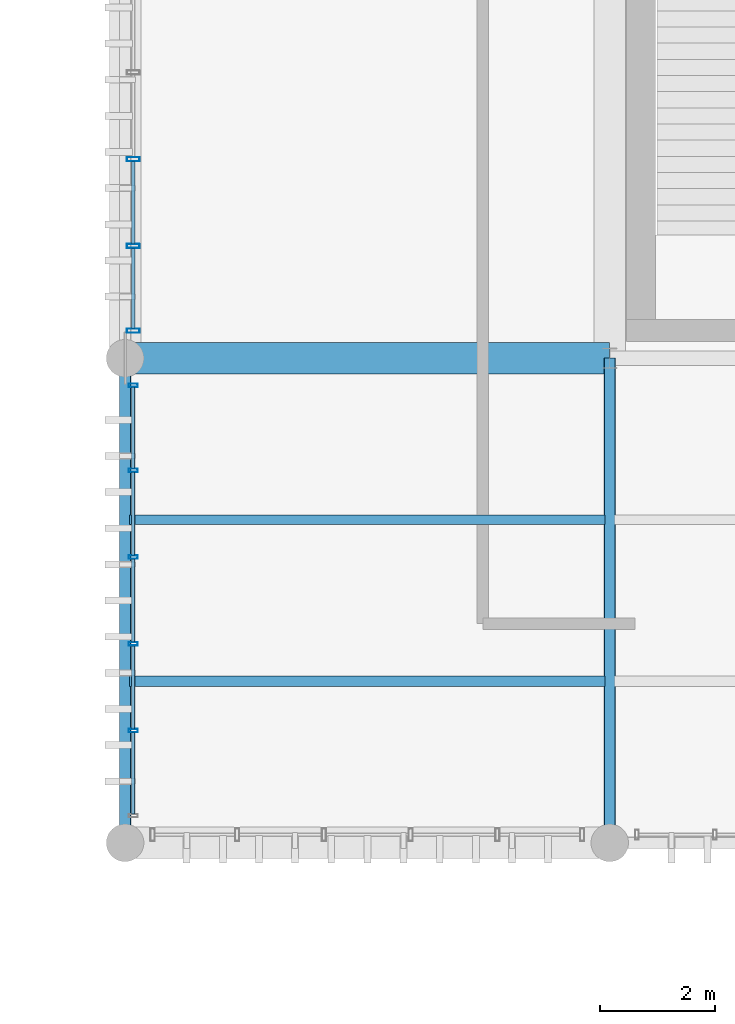
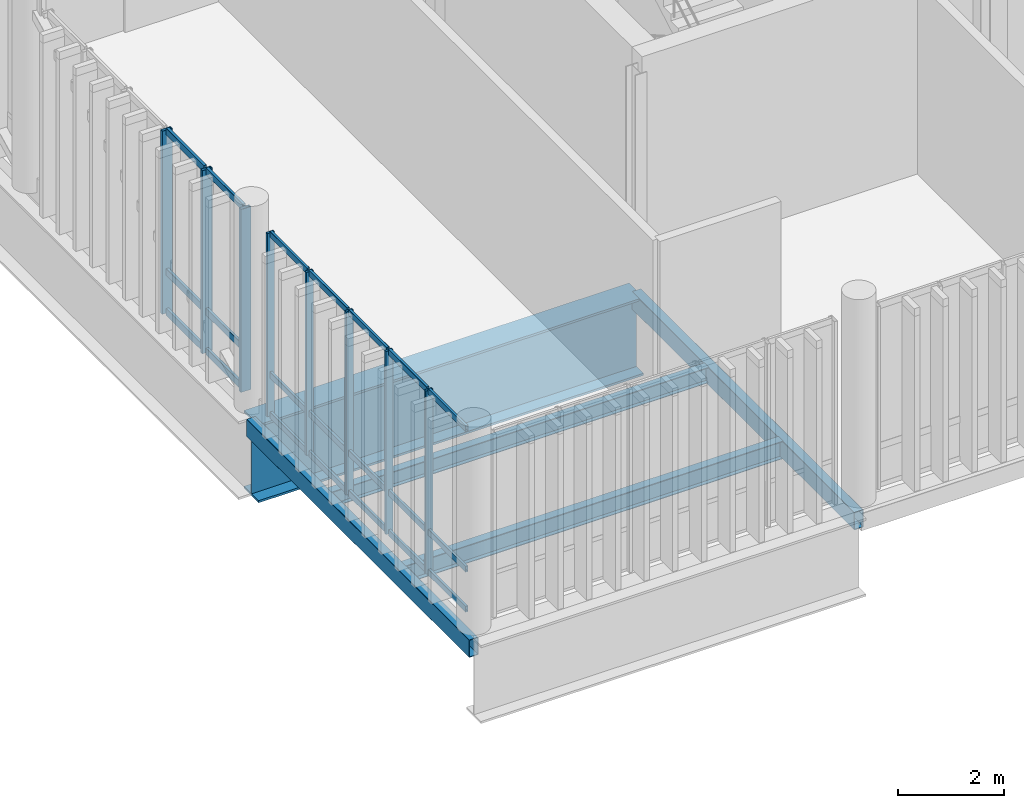
# One storey, part 42 of 81: 29 members, 5 beams, 2 elements without a shape of their own.
"""IFC4 building model written with IfcOpenShell, lengths in metres."""

import ifcopenshell
import ifcopenshell.guid

model = None  # the IFC model being written
_history = None  # IfcOwnerHistory: only IFC2X3 demands one
_inside = {}  # id of a spatial element -> (the spatial element, [elements in it])
_under = {}  # id of a project, library or spatial element -> (it, [spatial elements below it])
_declared = {}  # id of a project -> (the project, [libraries it declares])
_typed = {}  # id of a type object -> (the type object, [elements of that type])
_made_of = {}  # id of a material, layer set ... -> (it, [elements and type objects made of it])


def new_model(schema):
    """Start an empty IFC model of exactly this schema.

    Asked for "IFC4X3", IfcOpenShell would pick the latest addendum, in which some entities
    have other attributes; the version numbers below select the first issue.
    IFC2X3 requires an IfcOwnerHistory on every rooted entity: one is made here for all.
    """
    global model, _history
    if schema == "IFC4X3":
        model = ifcopenshell.file(schema_version=(4, 3, 0, 0))
    else:
        model = ifcopenshell.file(schema=schema)
    _inside.clear()
    _under.clear()
    _declared.clear()
    _typed.clear()
    _made_of.clear()
    _history = None
    if model.schema == "IFC2X3":
        org = make("IfcOrganization", Name="unknown")
        user = make(
            "IfcPersonAndOrganization",
            ThePerson=make("IfcPerson", FamilyName="unknown"),
            TheOrganization=org,
        )
        app = make(
            "IfcApplication",
            ApplicationDeveloper=org,
            Version="unknown",
            ApplicationFullName="unknown",
            ApplicationIdentifier="unknown",
        )
        _history = make(
            "IfcOwnerHistory",
            OwningUser=user,
            OwningApplication=app,
            ChangeAction="ADDED",
            CreationDate=0,
        )
    return model


def make(cls, **values):
    """One entity of the class cls with the attributes given. An attribute that is None is left unset."""
    return model.create_entity(
        cls, **{name: value for name, value in values.items() if value is not None}
    )


def rooted(cls, **values):
    """An entity with a GlobalId (a new one), such as an element, a storey or a relation."""
    return make(cls, GlobalId=ifcopenshell.guid.new(), OwnerHistory=_history, **values)


def si_unit(unit_type, name, prefix=None):
    """IfcSIUnit, for example si_unit("LENGTHUNIT", "METRE", prefix="MILLI")."""
    return make("IfcSIUnit", UnitType=unit_type, Prefix=prefix, Name=name)


def assignment(units):
    """IfcUnitAssignment: the units of a project."""
    return None if units is None else make("IfcUnitAssignment", Units=units)


def point(xyz):
    """IfcCartesianPoint."""
    return None if xyz is None else make("IfcCartesianPoint", Coordinates=xyz)


def direction(xyz):
    """IfcDirection."""
    return None if xyz is None else make("IfcDirection", DirectionRatios=xyz)


def frame(location, z_axis=None, x_axis=None):
    """IfcAxis2Placement3D, a coordinate frame: its origin and axes. An axis left out is left unset."""
    return make(
        "IfcAxis2Placement3D",
        Location=point(location),
        Axis=direction(z_axis),
        RefDirection=direction(x_axis),
    )


def frame_2d(location, x_axis=None):
    """IfcAxis2Placement2D, a coordinate frame in the plane: its origin and x axis."""
    return make(
        "IfcAxis2Placement2D", Location=point(location), RefDirection=direction(x_axis)
    )


def origin_with_axes():
    """The frame at (0, 0, 0) with the z axis (0, 0, 1) and the x axis (1, 0, 0) written out."""
    return frame((0.0, 0.0, 0.0), z_axis=(0.0, 0.0, 1.0), x_axis=(1.0, 0.0, 0.0))


def origin_2d_with_axis():
    """The frame at (0, 0) in the plane with the x axis (1, 0) written out."""
    return frame_2d((0.0, 0.0), x_axis=(1.0, 0.0))


def place(relative_to, where):
    """IfcLocalPlacement: puts the frame where relative to a parent placement (None: the world)."""
    return make(
        "IfcLocalPlacement", PlacementRelTo=relative_to, RelativePlacement=where
    )


def context(
    kind, dimensions, precision=None, world=None, true_north=None, identifier=None
):
    """IfcGeometricRepresentationContext, for example the 3D "Model" context."""
    return make(
        "IfcGeometricRepresentationContext",
        ContextIdentifier=identifier,
        ContextType=kind,
        CoordinateSpaceDimension=dimensions,
        Precision=precision,
        WorldCoordinateSystem=world,
        TrueNorth=true_north,
    )


def subcontext(parent, identifier, kind, view, scale=None):
    """IfcGeometricRepresentationSubContext, for example "Body" below "Model"."""
    return make(
        "IfcGeometricRepresentationSubContext",
        ContextIdentifier=identifier,
        ContextType=kind,
        ParentContext=parent,
        TargetScale=scale,
        TargetView=view,
    )


def project(units=None, contexts=None):
    """IfcProject with its units and contexts."""
    return rooted(
        "IfcProject",
        Name="project",
        RepresentationContexts=contexts,
        UnitsInContext=assignment(units),
    )


def spatial(cls, under=None, at=None, **own):
    """A site, building, storey or space (cls), placed at a placement, below another one or the project."""
    s = rooted(cls, ObjectPlacement=at, **own)
    if under is not None:
        _under.setdefault(under.id(), (under, []))[1].append(s)
    return s


def profile(cls, at=None, kind="AREA", **sizes):
    """A parametric profile (cls). Its sizes go by their IFC names, for example OverallWidth=200.0."""
    return make(cls, ProfileType=kind, Position=at, **sizes)


def hollow_rectangle(**sizes):
    """IfcRectangleHollowProfileDef."""
    return profile("IfcRectangleHollowProfileDef", **sizes)


def i_section(**sizes):
    """IfcIShapeProfileDef."""
    return profile("IfcIShapeProfileDef", **sizes)


def extrude(swept, where, along, depth):
    """IfcExtrudedAreaSolid: the profile swept, set in the frame where, extruded along a direction by depth."""
    return make(
        "IfcExtrudedAreaSolid",
        SweptArea=swept,
        Position=where,
        ExtrudedDirection=direction(along),
        Depth=depth,
    )


def shape(context_of_items, identifier, shape_type, items):
    """IfcShapeRepresentation: the items that make up one representation, for example the "Body"."""
    return make(
        "IfcShapeRepresentation",
        ContextOfItems=context_of_items,
        RepresentationIdentifier=identifier,
        RepresentationType=shape_type,
        Items=items,
    )


def material(Name=None, Category=None):
    """IfcMaterial."""
    return make("IfcMaterial", Name=Name, Category=Category)


def material_profile(
    of_material, cross_section, Name=None, Category=None, Priority=None
):
    """IfcMaterialProfile: a cross section and its material."""
    return make(
        "IfcMaterialProfile",
        Name=Name,
        Material=of_material,
        Profile=cross_section,
        Priority=Priority,
        Category=Category,
    )


def profile_set(profiles, Name=None, composite=None):
    """IfcMaterialProfileSet."""
    return make(
        "IfcMaterialProfileSet",
        Name=Name,
        MaterialProfiles=profiles,
        CompositeProfile=composite,
    )


def made_of(thing, what):
    """Note that an element or type object is made of a material, layer set ...; save() writes the relation."""
    if what is not None:
        _made_of.setdefault(what.id(), (what, []))[1].append(thing)
    return thing


def type_object(cls, material=None, **own):
    """A type object (cls), such as IfcWallType, which elements share."""
    return made_of(rooted(cls, **own), material)


def element(
    cls,
    number,
    at=None,
    inside=None,
    cuts=None,
    type_object=None,
    material=None,
    context=None,
    identifier="Body",
    shape_type=None,
    held_by="IfcProductDefinitionShape",
    body=None,
    shapes=None,
    **own,
):
    """One element of the class cls, such as IfcWall. Its Tag is "e" and its number.

    at: its placement. inside: the storey or other place that contains it. cuts: it is an
    opening in that element (IfcRelVoidsElement). A single representation is given by context,
    identifier, shape_type and body (its items); several are given by shapes. held_by: the class
    of the entity that holds the representations. save() writes the other relations.
    """
    e = rooted(cls, Tag="e%d" % number, ObjectPlacement=at, **own)
    if body is not None:
        shapes = [shape(context, identifier, shape_type, body)]
    if shapes is not None:
        e.Representation = make(held_by, Representations=shapes)
    if inside is not None:
        _inside.setdefault(inside.id(), (inside, []))[1].append(e)
    if cuts is not None:
        rooted(
            "IfcRelVoidsElement", RelatingBuildingElement=cuts, RelatedOpeningElement=e
        )
    if type_object is not None:
        _typed.setdefault(type_object.id(), (type_object, []))[1].append(e)
    return made_of(e, material)


def aggregate(whole, parts):
    """IfcRelAggregates: a whole, such as a stair, and the parts it consists of."""
    return rooted("IfcRelAggregates", RelatingObject=whole, RelatedObjects=parts)


def save(model, path):
    """Write the relations noted so far, then the file.

    IfcRelAggregates (storeys below a building ...), IfcRelContainedInSpatialStructure (elements
    in a storey), IfcRelDefinesByType, IfcRelAssociatesMaterial and IfcRelDeclares: one each for
    every whole, place, type object, material and project.
    """
    for whole, parts in _under.values():
        aggregate(whole, parts)
    for where, things in _inside.values():
        rooted(
            "IfcRelContainedInSpatialStructure",
            RelatedElements=things,
            RelatingStructure=where,
        )
    for kind, things in _typed.values():
        rooted("IfcRelDefinesByType", RelatedObjects=things, RelatingType=kind)
    for what, things in _made_of.values():
        rooted("IfcRelAssociatesMaterial", RelatedObjects=things, RelatingMaterial=what)
    for by, libraries in _declared.values():
        rooted("IfcRelDeclares", RelatingContext=by, RelatedDefinitions=libraries)
    model.write(path)


model = new_model("IFC4")

# Units and contexts
model_context = context("Model", 3, precision=1e-05, world=origin_with_axes(), true_north=direction((0.0, 1.0)))
body_context = subcontext(model_context, "Body", "Model", "MODEL_VIEW")
ifc_project = project(units=[si_unit("LENGTHUNIT", "METRE"), si_unit("AREAUNIT", "SQUARE_METRE"), si_unit("VOLUMEUNIT", "CUBIC_METRE"), si_unit("PLANEANGLEUNIT", "RADIAN"), si_unit("MASSUNIT", "GRAM", prefix="KILO"), si_unit("THERMODYNAMICTEMPERATUREUNIT", "KELVIN")], contexts=[model_context])

# Site, building, storey
site_placement = place(None, origin_with_axes())
site = spatial("IfcSite", under=ifc_project, at=site_placement, CompositionType="ELEMENT")
building_placement = place(site_placement, origin_with_axes())
building = spatial("IfcBuilding", under=site, at=building_placement, Name="Montbau Bow Law Courts", CompositionType="ELEMENT")
storey_placement = place(building_placement, frame((0.0, 0.0, 24.9), z_axis=(0.0, 0.0, 1.0), x_axis=(1.0, 0.0, 0.0)))
storey = spatial("IfcBuildingStorey", under=building, at=storey_placement, Name="L05", CompositionType="ELEMENT", Elevation=24.9)

# Beams
ifc_material_1 = material(Name="Steel CSA G40.21 Grade 350W (350 MPa)", Category="steel")
ifc_material_profile_1 = material_profile(ifc_material_1, i_section(OverallWidth=0.179, OverallDepth=0.41, WebThickness=0.0088, FlangeThickness=0.0144, at=origin_2d_with_axis()), Name="W410X67", Category="Main", Priority=0)
ifc_profile_set_1 = profile_set([ifc_material_profile_1], Name="Steel CSA G40.21 Grade 350W (350 MPa)")
beam_type_1 = type_object("IfcBeamType", Name="B-JST-02", PredefinedType="JOIST", material=ifc_profile_set_1)
beam_1_placement = place(None, frame((138.68, 80.8, 24.395), z_axis=(1.0, 0.0, 0.0), x_axis=(0.0, 1.0, 0.0)))
element("IfcBeam", 1, at=beam_1_placement, inside=storey, type_object=beam_type_1, Name="JST-L05-S0697:jst2_0697", PredefinedType="JOIST", context=body_context, shape_type="SweptSolid", body=[
    extrude(i_section(OverallWidth=0.179, OverallDepth=0.41, WebThickness=0.0088, FlangeThickness=0.0144, at=origin_2d_with_axis()), origin_with_axes(), (0.0, 0.0, 1.0), 8.24),
])
ifc_material_profile_2 = material_profile(ifc_material_1, i_section(OverallWidth=0.172, OverallDepth=0.358, WebThickness=0.0079, FlangeThickness=0.0131, at=origin_2d_with_axis()), Name="W360X57", Category="Main", Priority=0)
ifc_profile_set_2 = profile_set([ifc_material_profile_2], Name="Steel CSA G40.21 Grade 350W (350 MPa)")
beam_type_2 = type_object("IfcBeamType", Name="B-JST-03", PredefinedType="JOIST", material=ifc_profile_set_2)
beam_2_placement = place(None, frame((138.68, 83.6, 24.421), z_axis=(1.0, 0.0, 0.0), x_axis=(0.0, 1.0, 0.0)))
element("IfcBeam", 2, at=beam_2_placement, inside=storey, type_object=beam_type_2, Name="JST-L05-S0698:jst2_0698", PredefinedType="JOIST", context=body_context, shape_type="SweptSolid", body=[
    extrude(i_section(OverallWidth=0.172, OverallDepth=0.358, WebThickness=0.0079, FlangeThickness=0.0131, at=origin_2d_with_axis()), origin_with_axes(), (0.0, 0.0, 1.0), 8.24),
])
ifc_material_2 = material(Name="Steel CSA G40.21 Grade 350WT (350 MPa)", Category="steel")
ifc_material_profile_3 = material_profile(ifc_material_2, hollow_rectangle(XDim=0.203, YDim=0.406, WallThickness=0.0127, InnerFilletRadius=0.0254, OuterFilletRadius=0.0127, at=origin_2d_with_axis()), Name="HSS406X203X13", Category="Main", Priority=0)
ifc_profile_set_3 = profile_set([ifc_material_profile_3], Name="Steel CSA G40.21 Grade 350WT (350 MPa)")
beam_type_3 = type_object("IfcBeamType", Name="B-SPN-01", PredefinedType="SPANDREL", material=ifc_profile_set_3)
for number, where, z_axis, x_axis, name in (
    (3, (147.0, 78.0, 24.397), (0.0, 1.0, 0.0), (-1.0, 0.0, 0.0), "SPN-L05-S1293:bm2_1296"),
    (4, (138.6, 78.0, 24.397), (0.0, 1.0, 0.0), (-1.0, 0.0, 0.0), "SPN-L05-S1296:bm2_1299"),
):
    element("IfcBeam", number, at=place(None, frame(where, z_axis=z_axis, x_axis=x_axis)), inside=storey, type_object=beam_type_3, Name=name, PredefinedType="SPANDREL", context=body_context, shape_type="SweptSolid", body=[
        extrude(hollow_rectangle(XDim=0.203, YDim=0.406, WallThickness=0.0127, InnerFilletRadius=0.0254, OuterFilletRadius=0.0127, at=origin_2d_with_axis()), origin_with_axes(), (0.0, 0.0, 1.0), 8.4),
    ])
ifc_material_profile_4 = material_profile(ifc_material_2, i_section(OverallWidth=0.55, OverallDepth=1.8, WebThickness=0.022, FlangeThickness=0.05, at=origin_2d_with_axis()), Name="WWF1800X550", Category="Main", Priority=0)
ifc_profile_set_4 = profile_set([ifc_material_profile_4], Name="Steel CSA G40.21 Grade 350WT (350 MPa)")
beam_type_4 = type_object("IfcBeamType", Name="B-TRG-01", PredefinedType="USERDEFINED", material=ifc_profile_set_4)
beam_3_placement = place(None, frame((138.6, 86.4, 23.7), z_axis=(1.0, 0.0, 0.0), x_axis=(0.0, 1.0, 0.0)))
element("IfcBeam", 5, at=beam_3_placement, inside=storey, type_object=beam_type_4, Name="TRG-L05-S0090:bm2_0093", ObjectType="GIRDER", PredefinedType="USERDEFINED", context=body_context, shape_type="SweptSolid", body=[
    extrude(i_section(OverallWidth=0.55, OverallDepth=1.8, WebThickness=0.022, FlangeThickness=0.05, at=origin_2d_with_axis()), origin_with_axes(), (0.0, 0.0, 1.0), 8.4),
])

# Curtain wall, members
ifc_material_3 = material(Name="Thermally Broken Extruded Aluminium AA 6063-T6", Category="aluminium")
curtain_wall_type = type_object("IfcCurtainWallType", Name="CW-SLT-02", PredefinedType="NOTDEFINED", material=ifc_material_3)
curtain_wall_1_placement = place(None, frame((138.74, 86.84, 24.9), z_axis=(0.0, 0.0, 1.0), x_axis=(1.0, 0.0, 0.0)))
curtain_wall_1 = element("IfcCurtainWall", 6, at=curtain_wall_1_placement, inside=storey, type_object=curtain_wall_type, Name="CW-L05-342:cw_0342", PredefinedType="NOTDEFINED")
ifc_material_profile_5 = material_profile(ifc_material_3, hollow_rectangle(XDim=0.075, YDim=0.22, WallThickness=0.005, InnerFilletRadius=0.01, OuterFilletRadius=0.005, at=origin_2d_with_axis()), Name="CWM-220X75", Category="Main", Priority=0)
ifc_profile_set_5 = profile_set([ifc_material_profile_5], Name="Thermally Broken Extruded Aluminium AA 6063-T6")
member_type_1 = type_object("IfcMemberType", Name="M-MUL-01", PredefinedType="MULLION", material=ifc_profile_set_5)
member_1_placement = place(None, frame((138.74, 86.877, 24.9), z_axis=(0.0, 0.0, 1.0), x_axis=(0.0, 1.0, 0.0)))
member_1 = element("IfcMember", 7, at=member_1_placement, type_object=member_type_1, Name="CW-L05-342-M01:cw_0342_M01", PredefinedType="MULLION", context=body_context, shape_type="SweptSolid", body=[
    extrude(hollow_rectangle(XDim=0.075, YDim=0.22, WallThickness=0.005, InnerFilletRadius=0.01, OuterFilletRadius=0.005, at=origin_2d_with_axis()), origin_with_axes(), (0.0, 0.0, 1.0), 4.22),
])
member_2_placement = place(None, frame((138.74, 88.344, 24.9), z_axis=(0.0, 0.0, 1.0), x_axis=(0.0, 1.0, 0.0)))
member_2 = element("IfcMember", 8, at=member_2_placement, type_object=member_type_1, Name="CW-L05-342-M02:cw_0342_M02", PredefinedType="MULLION", context=body_context, shape_type="SweptSolid", body=[
    extrude(hollow_rectangle(XDim=0.075, YDim=0.22, WallThickness=0.005, InnerFilletRadius=0.01, OuterFilletRadius=0.005, at=origin_2d_with_axis()), origin_with_axes(), (0.0, 0.0, 1.0), 4.22),
])
member_3_placement = place(None, frame((138.74, 89.848, 24.9), z_axis=(0.0, 0.0, 1.0), x_axis=(0.0, 1.0, 0.0)))
member_3 = element("IfcMember", 9, at=member_3_placement, type_object=member_type_1, Name="CW-L05-342-M03:cw_0342_M03", PredefinedType="MULLION", context=body_context, shape_type="SweptSolid", body=[
    extrude(hollow_rectangle(XDim=0.075, YDim=0.22, WallThickness=0.005, InnerFilletRadius=0.01, OuterFilletRadius=0.005, at=origin_2d_with_axis()), origin_with_axes(), (0.0, 0.0, 1.0), 4.22),
])

curtain_wall_2_placement = place(None, frame((138.74, 78.44, 24.9), z_axis=(0.0, 0.0, 1.0), x_axis=(1.0, 0.0, 0.0)))
curtain_wall_2 = element("IfcCurtainWall", 10, at=curtain_wall_2_placement, inside=storey, type_object=curtain_wall_type, Name="CW-L05-341:cw_0341", PredefinedType="NOTDEFINED")
ifc_material_profile_6 = material_profile(ifc_material_3, hollow_rectangle(XDim=0.06, YDim=0.16, WallThickness=0.004, InnerFilletRadius=0.008, OuterFilletRadius=0.004, at=origin_2d_with_axis()), Name="CWM-160X60", Category="Main", Priority=0)
ifc_profile_set_6 = profile_set([ifc_material_profile_6], Name="Thermally Broken Extruded Aluminium AA 6063-T6")
member_type_2 = type_object("IfcMemberType", Name="M-MUL-03", PredefinedType="MULLION", material=ifc_profile_set_6)
member_4_placement = place(None, frame((138.74, 79.944, 24.9), z_axis=(0.0, 0.0, 1.0), x_axis=(0.0, 1.0, 0.0)))
member_4 = element("IfcMember", 11, at=member_4_placement, type_object=member_type_2, Name="CW-L05-341-M02:cw_0341_M02", PredefinedType="MULLION", context=body_context, shape_type="SweptSolid", body=[
    extrude(hollow_rectangle(XDim=0.06, YDim=0.16, WallThickness=0.004, InnerFilletRadius=0.008, OuterFilletRadius=0.004, at=origin_2d_with_axis()), origin_with_axes(), (0.0, 0.0, 1.0), 4.22),
])
member_5_placement = place(None, frame((138.74, 81.448, 24.9), z_axis=(0.0, 0.0, 1.0), x_axis=(0.0, 1.0, 0.0)))
member_5 = element("IfcMember", 12, at=member_5_placement, type_object=member_type_2, Name="CW-L05-341-M03:cw_0341_M03", PredefinedType="MULLION", context=body_context, shape_type="SweptSolid", body=[
    extrude(hollow_rectangle(XDim=0.06, YDim=0.16, WallThickness=0.004, InnerFilletRadius=0.008, OuterFilletRadius=0.004, at=origin_2d_with_axis()), origin_with_axes(), (0.0, 0.0, 1.0), 4.22),
])
member_6_placement = place(None, frame((138.74, 82.952, 24.9), z_axis=(0.0, 0.0, 1.0), x_axis=(0.0, 1.0, 0.0)))
member_6 = element("IfcMember", 13, at=member_6_placement, type_object=member_type_2, Name="CW-L05-341-M04:cw_0341_M04", PredefinedType="MULLION", context=body_context, shape_type="SweptSolid", body=[
    extrude(hollow_rectangle(XDim=0.06, YDim=0.16, WallThickness=0.004, InnerFilletRadius=0.008, OuterFilletRadius=0.004, at=origin_2d_with_axis()), origin_with_axes(), (0.0, 0.0, 1.0), 4.22),
])
member_7_placement = place(None, frame((138.74, 84.456, 24.9), z_axis=(0.0, 0.0, 1.0), x_axis=(0.0, 1.0, 0.0)))
member_7 = element("IfcMember", 14, at=member_7_placement, type_object=member_type_2, Name="CW-L05-341-M05:cw_0341_M05", PredefinedType="MULLION", context=body_context, shape_type="SweptSolid", body=[
    extrude(hollow_rectangle(XDim=0.06, YDim=0.16, WallThickness=0.004, InnerFilletRadius=0.008, OuterFilletRadius=0.004, at=origin_2d_with_axis()), origin_with_axes(), (0.0, 0.0, 1.0), 4.22),
])
member_8_placement = place(None, frame((138.74, 85.93, 24.9), z_axis=(0.0, 0.0, 1.0), x_axis=(0.0, 1.0, 0.0)))
member_8 = element("IfcMember", 15, at=member_8_placement, type_object=member_type_2, Name="CW-L05-341-M06:cw_0341_M06", PredefinedType="MULLION", context=body_context, shape_type="SweptSolid", body=[
    extrude(hollow_rectangle(XDim=0.06, YDim=0.16, WallThickness=0.004, InnerFilletRadius=0.008, OuterFilletRadius=0.004, at=origin_2d_with_axis()), origin_with_axes(), (0.0, 0.0, 1.0), 4.22),
])

# Member
ifc_material_profile_7 = material_profile(ifc_material_3, hollow_rectangle(XDim=0.06, YDim=0.16, WallThickness=0.004, InnerFilletRadius=0.008, OuterFilletRadius=0.004, at=origin_2d_with_axis()), Name="CWT-160X60", Category="Main", Priority=0)
ifc_profile_set_7 = profile_set([ifc_material_profile_7], Name="Thermally Broken Extruded Aluminium AA 6063-T6")
member_type_3 = type_object("IfcMemberType", Name="M-TRN-01", PredefinedType="USERDEFINED", material=ifc_profile_set_7)
member_9_placement = place(None, frame((138.74, 86.916, 24.93), z_axis=(0.0, 1.0, 0.0), x_axis=(-1.0, 0.0, 0.0)))
member_9 = element("IfcMember", 16, at=member_9_placement, type_object=member_type_3, Name="CW-L05-342-T01-1:cw_0342_T01_1", ObjectType="TRANSOM", PredefinedType="USERDEFINED", context=body_context, shape_type="SweptSolid", body=[
    extrude(hollow_rectangle(XDim=0.06, YDim=0.16, WallThickness=0.004, InnerFilletRadius=0.008, OuterFilletRadius=0.004, at=origin_2d_with_axis()), origin_with_axes(), (0.0, 0.0, 1.0), 1.388),
])

member_10_placement = place(None, frame((138.74, 86.916, 25.85), z_axis=(0.0, 1.0, 0.0), x_axis=(-1.0, 0.0, 0.0)))
member_10 = element("IfcMember", 17, at=member_10_placement, type_object=member_type_3, Name="CW-L05-342-T01-2:cw_0342_T01_2", ObjectType="TRANSOM", PredefinedType="USERDEFINED", context=body_context, shape_type="SweptSolid", body=[
    extrude(hollow_rectangle(XDim=0.06, YDim=0.16, WallThickness=0.004, InnerFilletRadius=0.008, OuterFilletRadius=0.004, at=origin_2d_with_axis()), origin_with_axes(), (0.0, 0.0, 1.0), 1.388),
])

member_11_placement = place(None, frame((138.74, 86.916, 29.09), z_axis=(0.0, 1.0, 0.0), x_axis=(-1.0, 0.0, 0.0)))
member_11 = element("IfcMember", 18, at=member_11_placement, type_object=member_type_3, Name="CW-L05-342-T01-3:cw_0342_T01_3", ObjectType="TRANSOM", PredefinedType="USERDEFINED", context=body_context, shape_type="SweptSolid", body=[
    extrude(hollow_rectangle(XDim=0.06, YDim=0.16, WallThickness=0.004, InnerFilletRadius=0.008, OuterFilletRadius=0.004, at=origin_2d_with_axis()), origin_with_axes(), (0.0, 0.0, 1.0), 1.388),
])

member_12_placement = place(None, frame((138.74, 88.384, 24.93), z_axis=(0.0, 1.0, 0.0), x_axis=(-1.0, 0.0, 0.0)))
member_12 = element("IfcMember", 19, at=member_12_placement, type_object=member_type_3, Name="CW-L05-342-T02-1:cw_0342_T02_1", ObjectType="TRANSOM", PredefinedType="USERDEFINED", context=body_context, shape_type="SweptSolid", body=[
    extrude(hollow_rectangle(XDim=0.06, YDim=0.16, WallThickness=0.004, InnerFilletRadius=0.008, OuterFilletRadius=0.004, at=origin_2d_with_axis()), origin_with_axes(), (0.0, 0.0, 1.0), 1.425),
])

member_13_placement = place(None, frame((138.74, 88.384, 25.85), z_axis=(0.0, 1.0, 0.0), x_axis=(-1.0, 0.0, 0.0)))
member_13 = element("IfcMember", 20, at=member_13_placement, type_object=member_type_3, Name="CW-L05-342-T02-2:cw_0342_T02_2", ObjectType="TRANSOM", PredefinedType="USERDEFINED", context=body_context, shape_type="SweptSolid", body=[
    extrude(hollow_rectangle(XDim=0.06, YDim=0.16, WallThickness=0.004, InnerFilletRadius=0.008, OuterFilletRadius=0.004, at=origin_2d_with_axis()), origin_with_axes(), (0.0, 0.0, 1.0), 1.425),
])

member_14_placement = place(None, frame((138.74, 88.384, 29.09), z_axis=(0.0, 1.0, 0.0), x_axis=(-1.0, 0.0, 0.0)))
member_14 = element("IfcMember", 21, at=member_14_placement, type_object=member_type_3, Name="CW-L05-342-T02-3:cw_0342_T02_3", ObjectType="TRANSOM", PredefinedType="USERDEFINED", context=body_context, shape_type="SweptSolid", body=[
    extrude(hollow_rectangle(XDim=0.06, YDim=0.16, WallThickness=0.004, InnerFilletRadius=0.008, OuterFilletRadius=0.004, at=origin_2d_with_axis()), origin_with_axes(), (0.0, 0.0, 1.0), 1.425),
])

aggregate(curtain_wall_1, [member_1, member_2, member_3, member_9, member_10, member_11, member_12, member_13, member_14])

ifc_material_profile_8 = material_profile(ifc_material_3, hollow_rectangle(XDim=0.055, YDim=0.14, WallThickness=0.004, InnerFilletRadius=0.008, OuterFilletRadius=0.004, at=origin_2d_with_axis()), Name="CWT-140X55", Category="Main", Priority=0)
ifc_profile_set_8 = profile_set([ifc_material_profile_8], Name="Thermally Broken Extruded Aluminium AA 6063-T6")
member_type_4 = type_object("IfcMemberType", Name="M-TRN-02", PredefinedType="USERDEFINED", material=ifc_profile_set_8)
member_15_placement = place(None, frame((138.74, 78.502, 24.927), z_axis=(0.0, 1.0, 0.0), x_axis=(-1.0, 0.0, 0.0)))
member_15 = element("IfcMember", 22, at=member_15_placement, type_object=member_type_4, Name="CW-L05-341-T01-1:cw_0341_T01_1", ObjectType="TRANSOM", PredefinedType="USERDEFINED", context=body_context, shape_type="SweptSolid", body=[
    extrude(hollow_rectangle(XDim=0.055, YDim=0.14, WallThickness=0.004, InnerFilletRadius=0.008, OuterFilletRadius=0.004, at=origin_2d_with_axis()), origin_with_axes(), (0.0, 0.0, 1.0), 1.41),
])

member_16_placement = place(None, frame((138.74, 78.502, 25.85), z_axis=(0.0, 1.0, 0.0), x_axis=(-1.0, 0.0, 0.0)))
member_16 = element("IfcMember", 23, at=member_16_placement, type_object=member_type_4, Name="CW-L05-341-T01-2:cw_0341_T01_2", ObjectType="TRANSOM", PredefinedType="USERDEFINED", context=body_context, shape_type="SweptSolid", body=[
    extrude(hollow_rectangle(XDim=0.055, YDim=0.14, WallThickness=0.004, InnerFilletRadius=0.008, OuterFilletRadius=0.004, at=origin_2d_with_axis()), origin_with_axes(), (0.0, 0.0, 1.0), 1.41),
])

member_17_placement = place(None, frame((138.74, 78.502, 29.093), z_axis=(0.0, 1.0, 0.0), x_axis=(-1.0, 0.0, 0.0)))
member_17 = element("IfcMember", 24, at=member_17_placement, type_object=member_type_4, Name="CW-L05-341-T01-3:cw_0341_T01_3", ObjectType="TRANSOM", PredefinedType="USERDEFINED", context=body_context, shape_type="SweptSolid", body=[
    extrude(hollow_rectangle(XDim=0.055, YDim=0.14, WallThickness=0.004, InnerFilletRadius=0.008, OuterFilletRadius=0.004, at=origin_2d_with_axis()), origin_with_axes(), (0.0, 0.0, 1.0), 1.41),
])

member_18_placement = place(None, frame((138.74, 79.976, 24.927), z_axis=(0.0, 1.0, 0.0), x_axis=(-1.0, 0.0, 0.0)))
member_18 = element("IfcMember", 25, at=member_18_placement, type_object=member_type_4, Name="CW-L05-341-T02-1:cw_0341_T02_1", ObjectType="TRANSOM", PredefinedType="USERDEFINED", context=body_context, shape_type="SweptSolid", body=[
    extrude(hollow_rectangle(XDim=0.055, YDim=0.14, WallThickness=0.004, InnerFilletRadius=0.008, OuterFilletRadius=0.004, at=origin_2d_with_axis()), origin_with_axes(), (0.0, 0.0, 1.0), 1.44),
])

member_19_placement = place(None, frame((138.74, 79.976, 25.85), z_axis=(0.0, 1.0, 0.0), x_axis=(-1.0, 0.0, 0.0)))
member_19 = element("IfcMember", 26, at=member_19_placement, type_object=member_type_4, Name="CW-L05-341-T02-2:cw_0341_T02_2", ObjectType="TRANSOM", PredefinedType="USERDEFINED", context=body_context, shape_type="SweptSolid", body=[
    extrude(hollow_rectangle(XDim=0.055, YDim=0.14, WallThickness=0.004, InnerFilletRadius=0.008, OuterFilletRadius=0.004, at=origin_2d_with_axis()), origin_with_axes(), (0.0, 0.0, 1.0), 1.44),
])

member_20_placement = place(None, frame((138.74, 79.976, 29.093), z_axis=(0.0, 1.0, 0.0), x_axis=(-1.0, 0.0, 0.0)))
member_20 = element("IfcMember", 27, at=member_20_placement, type_object=member_type_4, Name="CW-L05-341-T02-3:cw_0341_T02_3", ObjectType="TRANSOM", PredefinedType="USERDEFINED", context=body_context, shape_type="SweptSolid", body=[
    extrude(hollow_rectangle(XDim=0.055, YDim=0.14, WallThickness=0.004, InnerFilletRadius=0.008, OuterFilletRadius=0.004, at=origin_2d_with_axis()), origin_with_axes(), (0.0, 0.0, 1.0), 1.44),
])

member_21_placement = place(None, frame((138.74, 81.48, 24.927), z_axis=(0.0, 1.0, 0.0), x_axis=(-1.0, 0.0, 0.0)))
member_21 = element("IfcMember", 28, at=member_21_placement, type_object=member_type_4, Name="CW-L05-341-T03-1:cw_0341_T03_1", ObjectType="TRANSOM", PredefinedType="USERDEFINED", context=body_context, shape_type="SweptSolid", body=[
    extrude(hollow_rectangle(XDim=0.055, YDim=0.14, WallThickness=0.004, InnerFilletRadius=0.008, OuterFilletRadius=0.004, at=origin_2d_with_axis()), origin_with_axes(), (0.0, 0.0, 1.0), 1.44),
])

member_22_placement = place(None, frame((138.74, 81.48, 25.85), z_axis=(0.0, 1.0, 0.0), x_axis=(-1.0, 0.0, 0.0)))
member_22 = element("IfcMember", 29, at=member_22_placement, type_object=member_type_4, Name="CW-L05-341-T03-2:cw_0341_T03_2", ObjectType="TRANSOM", PredefinedType="USERDEFINED", context=body_context, shape_type="SweptSolid", body=[
    extrude(hollow_rectangle(XDim=0.055, YDim=0.14, WallThickness=0.004, InnerFilletRadius=0.008, OuterFilletRadius=0.004, at=origin_2d_with_axis()), origin_with_axes(), (0.0, 0.0, 1.0), 1.44),
])

member_23_placement = place(None, frame((138.74, 81.48, 29.093), z_axis=(0.0, 1.0, 0.0), x_axis=(-1.0, 0.0, 0.0)))
member_23 = element("IfcMember", 30, at=member_23_placement, type_object=member_type_4, Name="CW-L05-341-T03-3:cw_0341_T03_3", ObjectType="TRANSOM", PredefinedType="USERDEFINED", context=body_context, shape_type="SweptSolid", body=[
    extrude(hollow_rectangle(XDim=0.055, YDim=0.14, WallThickness=0.004, InnerFilletRadius=0.008, OuterFilletRadius=0.004, at=origin_2d_with_axis()), origin_with_axes(), (0.0, 0.0, 1.0), 1.44),
])

member_24_placement = place(None, frame((138.74, 82.984, 24.927), z_axis=(0.0, 1.0, 0.0), x_axis=(-1.0, 0.0, 0.0)))
member_24 = element("IfcMember", 31, at=member_24_placement, type_object=member_type_4, Name="CW-L05-341-T04-1:cw_0341_T04_1", ObjectType="TRANSOM", PredefinedType="USERDEFINED", context=body_context, shape_type="SweptSolid", body=[
    extrude(hollow_rectangle(XDim=0.055, YDim=0.14, WallThickness=0.004, InnerFilletRadius=0.008, OuterFilletRadius=0.004, at=origin_2d_with_axis()), origin_with_axes(), (0.0, 0.0, 1.0), 1.44),
])

member_25_placement = place(None, frame((138.74, 82.984, 25.85), z_axis=(0.0, 1.0, 0.0), x_axis=(-1.0, 0.0, 0.0)))
member_25 = element("IfcMember", 32, at=member_25_placement, type_object=member_type_4, Name="CW-L05-341-T04-2:cw_0341_T04_2", ObjectType="TRANSOM", PredefinedType="USERDEFINED", context=body_context, shape_type="SweptSolid", body=[
    extrude(hollow_rectangle(XDim=0.055, YDim=0.14, WallThickness=0.004, InnerFilletRadius=0.008, OuterFilletRadius=0.004, at=origin_2d_with_axis()), origin_with_axes(), (0.0, 0.0, 1.0), 1.44),
])

member_26_placement = place(None, frame((138.74, 82.984, 29.093), z_axis=(0.0, 1.0, 0.0), x_axis=(-1.0, 0.0, 0.0)))
member_26 = element("IfcMember", 33, at=member_26_placement, type_object=member_type_4, Name="CW-L05-341-T04-3:cw_0341_T04_3", ObjectType="TRANSOM", PredefinedType="USERDEFINED", context=body_context, shape_type="SweptSolid", body=[
    extrude(hollow_rectangle(XDim=0.055, YDim=0.14, WallThickness=0.004, InnerFilletRadius=0.008, OuterFilletRadius=0.004, at=origin_2d_with_axis()), origin_with_axes(), (0.0, 0.0, 1.0), 1.44),
])

member_27_placement = place(None, frame((138.74, 84.488, 24.927), z_axis=(0.0, 1.0, 0.0), x_axis=(-1.0, 0.0, 0.0)))
member_27 = element("IfcMember", 34, at=member_27_placement, type_object=member_type_4, Name="CW-L05-341-T05-1:cw_0341_T05_1", ObjectType="TRANSOM", PredefinedType="USERDEFINED", context=body_context, shape_type="SweptSolid", body=[
    extrude(hollow_rectangle(XDim=0.055, YDim=0.14, WallThickness=0.004, InnerFilletRadius=0.008, OuterFilletRadius=0.004, at=origin_2d_with_axis()), origin_with_axes(), (0.0, 0.0, 1.0), 1.41),
])

member_28_placement = place(None, frame((138.74, 84.488, 25.85), z_axis=(0.0, 1.0, 0.0), x_axis=(-1.0, 0.0, 0.0)))
member_28 = element("IfcMember", 35, at=member_28_placement, type_object=member_type_4, Name="CW-L05-341-T05-2:cw_0341_T05_2", ObjectType="TRANSOM", PredefinedType="USERDEFINED", context=body_context, shape_type="SweptSolid", body=[
    extrude(hollow_rectangle(XDim=0.055, YDim=0.14, WallThickness=0.004, InnerFilletRadius=0.008, OuterFilletRadius=0.004, at=origin_2d_with_axis()), origin_with_axes(), (0.0, 0.0, 1.0), 1.41),
])

member_29_placement = place(None, frame((138.74, 84.488, 29.093), z_axis=(0.0, 1.0, 0.0), x_axis=(-1.0, 0.0, 0.0)))
member_29 = element("IfcMember", 36, at=member_29_placement, type_object=member_type_4, Name="CW-L05-341-T05-3:cw_0341_T05_3", ObjectType="TRANSOM", PredefinedType="USERDEFINED", context=body_context, shape_type="SweptSolid", body=[
    extrude(hollow_rectangle(XDim=0.055, YDim=0.14, WallThickness=0.004, InnerFilletRadius=0.008, OuterFilletRadius=0.004, at=origin_2d_with_axis()), origin_with_axes(), (0.0, 0.0, 1.0), 1.41),
])

aggregate(curtain_wall_2, [member_4, member_5, member_6, member_7, member_8, member_15, member_16, member_17, member_18, member_19, member_20, member_21, member_22, member_23, member_24, member_25, member_26, member_27, member_28, member_29])

save(model, "model.ifc")
